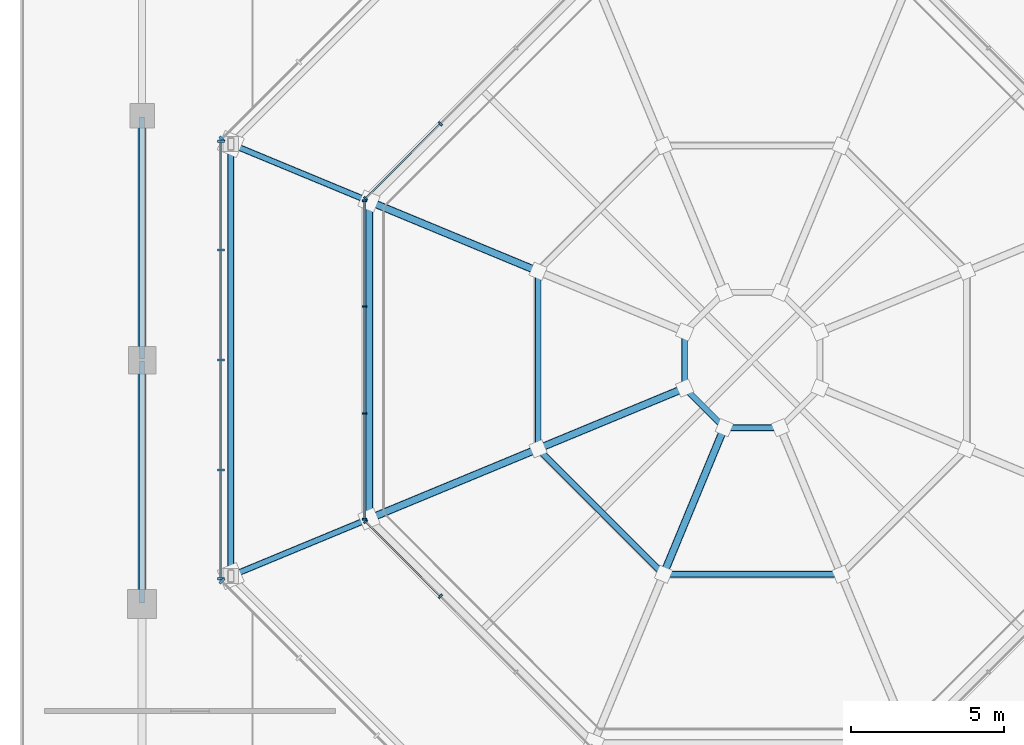
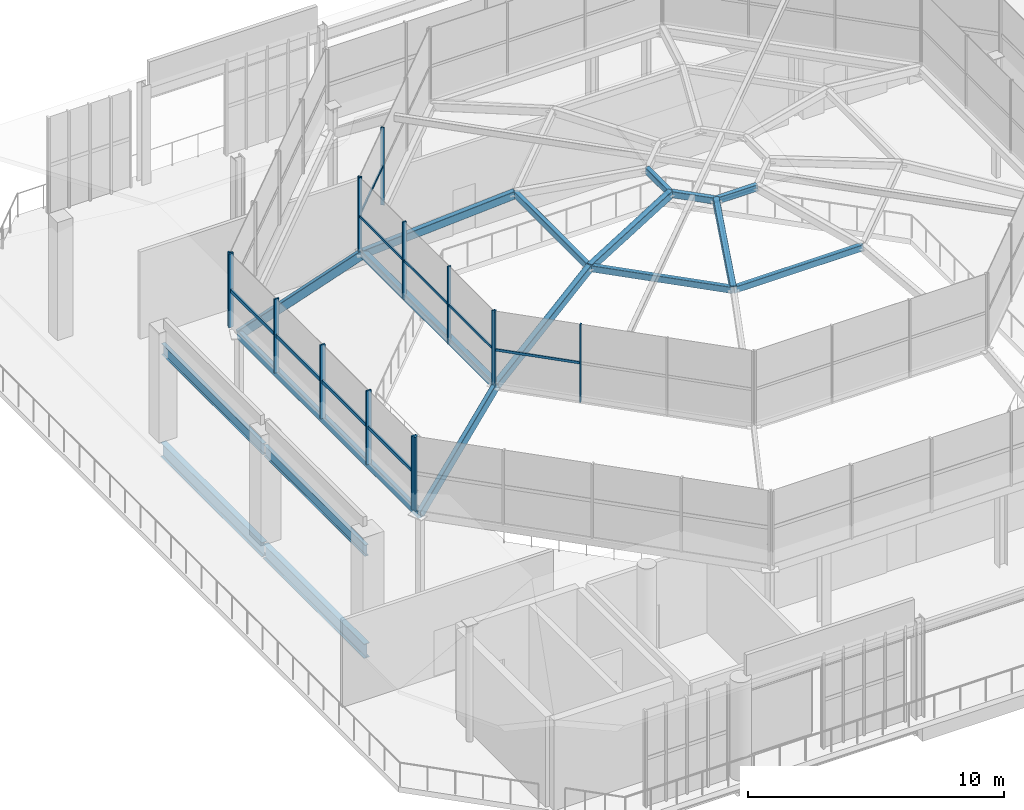
# One storey, part 10 of 30: 24 members, 18 beams, 6 elements without a shape of their own.
"""IFC4 building model written with IfcOpenShell, lengths in metres."""

from ifc_helpers import new_model, si_unit, direction, frame, origin, origin_2d, place, context, subcontext, project, spatial, rectangle, hollow_rectangle, i_section, extrude, material, material_profile, profile_set, type_object, element, aggregate, save


model = new_model("IFC4")

# Units and contexts
model_context = context("Model", 3, precision=1e-05, world=origin(), true_north=direction((0.0, 1.0)))
body_context = subcontext(model_context, "Body", "Model", "MODEL_VIEW")
ifc_project = project(units=[si_unit("LENGTHUNIT", "METRE"), si_unit("AREAUNIT", "SQUARE_METRE"), si_unit("VOLUMEUNIT", "CUBIC_METRE"), si_unit("PLANEANGLEUNIT", "RADIAN"), si_unit("MASSUNIT", "GRAM", prefix="KILO")], contexts=[model_context])

# Site, building, storey
site_placement = place(None, origin())
site = spatial("IfcSite", under=ifc_project, at=site_placement, CompositionType="ELEMENT")
building_placement = place(site_placement, origin())
building = spatial("IfcBuilding", under=site, at=building_placement, Name="Brisemont Oceanarium", CompositionType="ELEMENT")
storey_placement = place(building_placement, frame((0.0, 0.0, 19.800048828125)))
storey = spatial("IfcBuildingStorey", under=building, at=storey_placement, Name="L04", CompositionType="ELEMENT", Elevation=19.800048828125)

# Beams
ifc_material_1 = material(Name="Structural Steel ASTM A500 Gr.C", Category="steel")
ifc_material_profile_1 = material_profile(ifc_material_1, hollow_rectangle(XDim=0.202880859375, YDim=0.304931640625, WallThickness=0.0087890625, InnerFilletRadius=0.009033203125, OuterFilletRadius=0.01806640625, at=origin_2d()), Name="HSS12X8X3/8")
ifc_profile_set_1 = profile_set([ifc_material_profile_1], Name="Structural Steel ASTM A500 Gr.C")
beam_type_1 = type_object("IfcBeamType", Name="BM-HSS12X8", PredefinedType="BEAM", material=ifc_profile_set_1)
beam_1_placement = place(storey_placement, frame((76.978515625, 58.908447265625, 10.099853515625), z_axis=(0.0, -1.0, 0.0), x_axis=(1.0, 0.0, 0.0)))
element("IfcBeam", 1, at=beam_1_placement, inside=storey, type_object=beam_type_1, Name="V1 dome ring 3 chord 4", PredefinedType="BEAM", context=body_context, shape_type="SweptSolid", body=[
    extrude(hollow_rectangle(XDim=0.202880859375, YDim=0.304931640625, WallThickness=0.0087890625, InnerFilletRadius=0.009033203125, OuterFilletRadius=0.01806640625, at=origin_2d()), origin(), (0.0, 0.0, 1.0), 5.81689453125),
])
beam_2_placement = place(storey_placement, frame((76.978515625, 53.091552734375, 10.099853515625), z_axis=(0.707106781187, -0.707106781187, 0.0), x_axis=(0.707106781187, 0.707106781187, 0.0)))
element("IfcBeam", 2, at=beam_2_placement, inside=storey, type_object=beam_type_1, Name="V1 dome ring 3 chord 5", PredefinedType="BEAM", context=body_context, shape_type="SweptSolid", body=[
    extrude(hollow_rectangle(XDim=0.202880859375, YDim=0.304931640625, WallThickness=0.0087890625, InnerFilletRadius=0.009033203125, OuterFilletRadius=0.01806640625, at=origin_2d()), origin(), (0.0, 0.0, 1.0), 5.816650390625),
])
beam_3_placement = place(storey_placement, frame((81.091552734375, 48.978515625, 10.099853515625), z_axis=(1.0, 0.0, 0.0), x_axis=(0.0, 1.0, 0.0)))
element("IfcBeam", 3, at=beam_3_placement, inside=storey, type_object=beam_type_1, Name="V1 dome ring 3 chord 6", PredefinedType="BEAM", context=body_context, shape_type="SweptSolid", body=[
    extrude(hollow_rectangle(XDim=0.202880859375, YDim=0.304931640625, WallThickness=0.0087890625, InnerFilletRadius=0.009033203125, OuterFilletRadius=0.01806640625, at=origin_2d()), origin(), (0.0, 0.0, 1.0), 5.81689453125),
])
for number, where, z_axis, x_axis, name in (
    (4, (81.78271484375, 56.91845703125, 10.75), (0.0, -1.0, 0.0), (1.0, 0.0, 0.0), "V1 dome ring 4 chord 4"),
    (5, (81.78271484375, 55.08154296875, 10.75), (0.707106781187, -0.707106781187, 0.0), (0.707106781187, 0.707106781187, 0.0), "V1 dome ring 4 chord 5"),
    (6, (83.08154296875, 53.78271484375, 10.75), (1.0, 0.0, 0.0), (0.0, 1.0, 0.0), "V1 dome ring 4 chord 6"),
):
    element("IfcBeam", number, at=place(storey_placement, frame(where, z_axis=z_axis, x_axis=x_axis)), inside=storey, type_object=beam_type_1, Name=name, PredefinedType="BEAM", context=body_context, shape_type="SweptSolid", body=[
        extrude(hollow_rectangle(XDim=0.202880859375, YDim=0.304931640625, WallThickness=0.0087890625, InnerFilletRadius=0.009033203125, OuterFilletRadius=0.01806640625, at=origin_2d()), origin(), (0.0, 0.0, 1.0), 1.8369140625),
    ])
ifc_material_2 = material(Name="Structural Steel ASTM A500 Gr.C", Category="steel")
ifc_material_profile_2 = material_profile(ifc_material_2, hollow_rectangle(XDim=0.25390625, YDim=0.35595703125, WallThickness=0.01171875, InnerFilletRadius=0.01220703125, OuterFilletRadius=0.02392578125, at=origin_2d()), Name="HSS14X10X1/2")
ifc_profile_set_2 = profile_set([ifc_material_profile_2], Name="Structural Steel ASTM A500 Gr.C")
beam_type_2 = type_object("IfcBeamType", Name="BM-HSS14X10", PredefinedType="BEAM", material=ifc_profile_set_2)
beam_4_placement = place(storey_placement, frame((71.435302734375, 61.20458984375, 7.800048828125), z_axis=(0.0, -1.0, 0.0), x_axis=(1.0, 0.0, 0.0)))
element("IfcBeam", 7, at=beam_4_placement, inside=storey, type_object=beam_type_2, Name="V1 dome ring 2 chord 4", PredefinedType="BEAM", context=body_context, shape_type="SweptSolid", body=[
    extrude(hollow_rectangle(XDim=0.25390625, YDim=0.35595703125, WallThickness=0.01171875, InnerFilletRadius=0.01220703125, OuterFilletRadius=0.02392578125, at=origin_2d()), origin(), (0.0, 0.0, 1.0), 10.4091796875),
])
for number, where, z_axis, x_axis, name in (
    (8, (71.435302734375, 61.20458984375, 7.800048828125), (0.862673737617, -0.357341841105, 0.357911764296), (0.382693194178, 0.923875488976, 0.0), "V1 dome meridian arch rib 2.4"),
    (9, (71.435302734375, 50.79541015625, 7.800048828125), (0.862673737617, 0.357341841105, 0.357911764296), (-0.382693194178, 0.923875488976, 0.0), "V1 dome meridian arch rib 2.5"),
):
    element("IfcBeam", number, at=place(storey_placement, frame(where, z_axis=z_axis, x_axis=x_axis)), inside=storey, type_object=beam_type_2, Name=name, PredefinedType="BEAM", context=body_context, shape_type="SweptSolid", body=[
        extrude(hollow_rectangle(XDim=0.25390625, YDim=0.35595703125, WallThickness=0.01171875, InnerFilletRadius=0.01220703125, OuterFilletRadius=0.02392578125, at=origin_2d()), origin(), (0.0, 0.0, 1.0), 6.425537109375),
    ])
for number, where, z_axis, x_axis, name in (
    (10, (76.978515625, 53.091552734375, 10.099853515625), (0.916740406142, 0.37973122525, 0.124061373186), (-0.38268766097, 0.923877780955, 0.0), "V1 dome meridian arch rib 3.5"),
    (11, (81.091552734375, 48.978515625, 10.099853515625), (0.37973122525, 0.916740406142, 0.124061373186), (-0.923877780955, 0.38268766097, 0.0), "V1 dome meridian arch rib 3.6"),
):
    element("IfcBeam", number, at=place(storey_placement, frame(where, z_axis=z_axis, x_axis=x_axis)), inside=storey, type_object=beam_type_2, Name=name, PredefinedType="BEAM", context=body_context, shape_type="SweptSolid", body=[
        extrude(hollow_rectangle(XDim=0.25390625, YDim=0.35595703125, WallThickness=0.01171875, InnerFilletRadius=0.01220703125, OuterFilletRadius=0.02392578125, at=origin_2d()), origin(), (0.0, 0.0, 1.0), 5.240478515625),
    ])
ifc_material_3 = material(Name="Structural Steel ASTM A500 Gr.C", Category="steel")
ifc_material_profile_3 = material_profile(ifc_material_3, hollow_rectangle(XDim=0.202880859375, YDim=0.406005859375, WallThickness=0.01171875, InnerFilletRadius=0.01220703125, OuterFilletRadius=0.02392578125, at=origin_2d()), Name="HSS16X8X1/2")
ifc_profile_set_3 = profile_set([ifc_material_profile_3], Name="Structural Steel ASTM A500 Gr.C")
beam_type_3 = type_object("IfcBeamType", Name="BM-HSS16X8", PredefinedType="BEAM", material=ifc_profile_set_3)
beam_5_placement = place(storey_placement, frame((66.908203125, 63.07958984375, 4.3798828125), z_axis=(0.0, -1.0, 0.0), x_axis=(1.0, 0.0, 0.0)))
element("IfcBeam", 12, at=beam_5_placement, inside=storey, type_object=beam_type_3, Name="V1 dome ring 1 chord 4", PredefinedType="BEAM", context=body_context, shape_type="SweptSolid", body=[
    extrude(hollow_rectangle(XDim=0.202880859375, YDim=0.406005859375, WallThickness=0.01171875, InnerFilletRadius=0.01220703125, OuterFilletRadius=0.02392578125, at=origin_2d()), origin(), (0.0, 0.0, 1.0), 14.1591796875),
])
for number, where, z_axis, x_axis, name in (
    (13, (66.908203125, 63.07958984375, 4.3798828125), (0.757597539558, -0.313776039681, 0.572355278632), (0.382651022285, 0.92389295654, 0.0), "V1 dome meridian arch rib 1.4"),
    (14, (66.908203125, 48.92041015625, 4.3798828125), (0.757597539558, 0.313776039681, 0.572355278632), (-0.382651022285, 0.92389295654, 0.0), "V1 dome meridian arch rib 1.5"),
):
    element("IfcBeam", number, at=place(storey_placement, frame(where, z_axis=z_axis, x_axis=x_axis)), inside=storey, type_object=beam_type_3, Name=name, PredefinedType="BEAM", context=body_context, shape_type="SweptSolid", body=[
        extrude(hollow_rectangle(XDim=0.202880859375, YDim=0.406005859375, WallThickness=0.01171875, InnerFilletRadius=0.01220703125, OuterFilletRadius=0.02392578125, at=origin_2d()), origin(), (0.0, 0.0, 1.0), 5.9755859375),
    ])
ifc_material_4 = material(Name="Structural Steel ASTM A992 Gr.50", Category="steel")
ifc_material_profile_4 = material_profile(ifc_material_4, i_section(OverallWidth=0.166015625, OverallDepth=0.528076171875, WebThickness=0.009765625, FlangeThickness=0.013671875, FilletRadius=0.012939453125, at=origin_2d()), Name="W21X50")
ifc_profile_set_4 = profile_set([ifc_material_profile_4], Name="Structural Steel ASTM A992 Gr.50")
beam_type_4 = type_object("IfcBeamType", Name="BM-W21X50", PredefinedType="SPANDREL", material=ifc_profile_set_4)
for number, where, z_axis, x_axis, name in (
    (15, (64.0, 48.0400390625, 4.18603515625), (0.0, 1.0, 0.0), (-1.0, 0.0, 0.0), "V1 L04 cornice parapet spandrel beam 7"),
    (16, (64.0, 56.0400390625, 4.18603515625), (0.0, 1.0, 0.0), (-1.0, 0.0, 0.0), "V1 L04 cornice parapet spandrel beam 8"),
):
    element("IfcBeam", number, at=place(storey_placement, frame(where, z_axis=z_axis, x_axis=x_axis)), inside=storey, type_object=beam_type_4, Name=name, PredefinedType="SPANDREL", context=body_context, shape_type="SweptSolid", body=[
        extrude(i_section(OverallWidth=0.166015625, OverallDepth=0.528076171875, WebThickness=0.009765625, FlangeThickness=0.013671875, FilletRadius=0.012939453125, at=origin_2d()), origin(), (0.0, 0.0, 1.0), 7.919921875),
    ])
ifc_material_5 = material(Name="Structural Steel ASTM A992 Gr.50", Category="steel")
ifc_material_profile_5 = material_profile(ifc_material_5, i_section(OverallWidth=0.2529296875, OverallDepth=0.677978515625, WebThickness=0.01171875, FlangeThickness=0.016357421875, FilletRadius=0.014892578125, at=origin_2d()), Name="W27X84")
ifc_profile_set_5 = profile_set([ifc_material_profile_5], Name="Structural Steel ASTM A992 Gr.50")
beam_type_5 = type_object("IfcBeamType", Name="BM-W27X84", PredefinedType="BEAM", material=ifc_profile_set_5)
beam_6_placement = place(storey_placement, frame((64.0, 56.0400390625, -0.59912109375), z_axis=(0.0, 1.0, 0.0), x_axis=(-1.0, 0.0, 0.0)))
element("IfcBeam", 17, at=beam_6_placement, inside=storey, type_object=beam_type_5, Name="V1 L04 NS girder", PredefinedType="BEAM", context=body_context, shape_type="SweptSolid", body=[
    extrude(i_section(OverallWidth=0.2529296875, OverallDepth=0.677978515625, WebThickness=0.01171875, FlangeThickness=0.016357421875, FilletRadius=0.014892578125, at=origin_2d()), origin(), (0.0, 0.0, 1.0), 7.919921875),
])
ifc_material_6 = material(Name="Structural Steel ASTM A992 Gr.50", Category="steel")
ifc_material_profile_6 = material_profile(ifc_material_6, i_section(OverallWidth=0.25390625, OverallDepth=0.68310546875, WebThickness=0.012451171875, FlangeThickness=0.018798828125, FilletRadius=0.014892578125, at=origin_2d()), Name="W27X94")
ifc_profile_set_6 = profile_set([ifc_material_profile_6], Name="Structural Steel ASTM A992 Gr.50")
beam_type_6 = type_object("IfcBeamType", Name="BM-W27X94", PredefinedType="BEAM", material=ifc_profile_set_6)
beam_7_placement = place(storey_placement, frame((64.0, 48.0400390625, -0.6015625), z_axis=(0.0, 1.0, 0.0), x_axis=(-1.0, 0.0, 0.0)))
element("IfcBeam", 18, at=beam_7_placement, inside=storey, type_object=beam_type_6, Name="V1 L04 NS girder", PredefinedType="BEAM", context=body_context, shape_type="SweptSolid", body=[
    extrude(i_section(OverallWidth=0.25390625, OverallDepth=0.68310546875, WebThickness=0.012451171875, FlangeThickness=0.018798828125, FilletRadius=0.014892578125, at=origin_2d()), origin(), (0.0, 0.0, 1.0), 7.919921875),
])

# Curtain wall, members
ifc_material_7 = material(Name="Anodized Extruded Aluminum 6063-T6", Category="aluminium")
curtain_wall_type_1 = type_object("IfcCurtainWallType", Name="CW-CLR-48X34", PredefinedType="NOTDEFINED", material=ifc_material_7)
curtain_wall_1_placement = place(storey_placement, origin())
curtain_wall_1 = element("IfcCurtainWall", 19, at=curtain_wall_1_placement, inside=storey, type_object=curtain_wall_type_1, Name="CW-22 curtain wall CW-DOME-UP-3", PredefinedType="NOTDEFINED")
ifc_material_8 = material(Name="Anodized Extruded Aluminum 6063-T6", Category="aluminium")
ifc_material_profile_7 = material_profile(ifc_material_8, rectangle(XDim=0.06005859375, YDim=0.14990234375, at=origin_2d()), Name="CWM-60X150")
ifc_profile_set_7 = profile_set([ifc_material_profile_7], Name="Anodized Extruded Aluminum 6063-T6")
member_type_1 = type_object("IfcMemberType", Name="MEM-CWM-60", PredefinedType="MULLION", material=ifc_profile_set_7)
member_1_placement = place(storey_placement, frame((73.777099609375, 63.742431640625, 7.75), z_axis=(0.0, 0.0, 1.0), x_axis=(-0.707106781187, -0.707106781187, 0.0)))
member_1 = element("IfcMember", 20, at=member_1_placement, type_object=member_type_1, Name="CW-DOME-UP-3 mullion 3", PredefinedType="MULLION", context=body_context, shape_type="SweptSolid", body=[
    extrude(rectangle(XDim=0.06005859375, YDim=0.14990234375, at=origin_2d()), origin(), (0.0, 0.0, 1.0), 3.699951171875),
])
member_2_placement = place(storey_placement, frame((71.32861328125, 61.293701171875, 7.75), z_axis=(0.0, 0.0, 1.0), x_axis=(-0.707106781187, -0.707106781187, 0.0)))
member_2 = element("IfcMember", 21, at=member_2_placement, type_object=member_type_1, Name="CW-DOME-UP-3 mullion 4", PredefinedType="MULLION", context=body_context, shape_type="SweptSolid", body=[
    extrude(rectangle(XDim=0.06005859375, YDim=0.14990234375, at=origin_2d()), origin(), (0.0, 0.0, 1.0), 3.699951171875),
])

curtain_wall_2_placement = place(storey_placement, origin())
curtain_wall_2 = element("IfcCurtainWall", 22, at=curtain_wall_2_placement, inside=storey, type_object=curtain_wall_type_1, Name="CW-22 curtain wall CW-DOME-UP-4", PredefinedType="NOTDEFINED")
member_3_placement = place(storey_placement, frame((71.296630859375, 61.216796875, 7.75), z_axis=(0.0, 0.0, 1.0), x_axis=(0.0, -1.0, 0.0)))
member_3 = element("IfcMember", 23, at=member_3_placement, type_object=member_type_1, Name="CW-DOME-UP-4 mullion 1", PredefinedType="MULLION", context=body_context, shape_type="SweptSolid", body=[
    extrude(rectangle(XDim=0.06005859375, YDim=0.14990234375, at=origin_2d()), origin(), (0.0, 0.0, 1.0), 3.699951171875),
])
member_4_placement = place(storey_placement, frame((71.296630859375, 57.75390625, 7.75), z_axis=(0.0, 0.0, 1.0), x_axis=(0.0, -1.0, 0.0)))
member_4 = element("IfcMember", 24, at=member_4_placement, type_object=member_type_1, Name="CW-DOME-UP-4 mullion 2", PredefinedType="MULLION", context=body_context, shape_type="SweptSolid", body=[
    extrude(rectangle(XDim=0.06005859375, YDim=0.14990234375, at=origin_2d()), origin(), (0.0, 0.0, 1.0), 3.699951171875),
])
member_5_placement = place(storey_placement, frame((71.296630859375, 54.24609375, 7.75), z_axis=(0.0, 0.0, 1.0), x_axis=(0.0, -1.0, 0.0)))
member_5 = element("IfcMember", 25, at=member_5_placement, type_object=member_type_1, Name="CW-DOME-UP-4 mullion 3", PredefinedType="MULLION", context=body_context, shape_type="SweptSolid", body=[
    extrude(rectangle(XDim=0.06005859375, YDim=0.14990234375, at=origin_2d()), origin(), (0.0, 0.0, 1.0), 3.699951171875),
])
member_6_placement = place(storey_placement, frame((71.296630859375, 50.783203125, 7.75), z_axis=(0.0, 0.0, 1.0), x_axis=(0.0, -1.0, 0.0)))
member_6 = element("IfcMember", 26, at=member_6_placement, type_object=member_type_1, Name="CW-DOME-UP-4 mullion 4", PredefinedType="MULLION", context=body_context, shape_type="SweptSolid", body=[
    extrude(rectangle(XDim=0.06005859375, YDim=0.14990234375, at=origin_2d()), origin(), (0.0, 0.0, 1.0), 3.699951171875),
])

curtain_wall_3_placement = place(storey_placement, origin())
curtain_wall_3 = element("IfcCurtainWall", 27, at=curtain_wall_3_placement, inside=storey, type_object=curtain_wall_type_1, Name="CW-22 curtain wall CW-DOME-UP-5", PredefinedType="NOTDEFINED")
member_7_placement = place(storey_placement, frame((71.32861328125, 50.706298828125, 7.75), z_axis=(0.0, 0.0, 1.0), x_axis=(0.707106781187, -0.707106781187, 0.0)))
member_7 = element("IfcMember", 28, at=member_7_placement, type_object=member_type_1, Name="CW-DOME-UP-5 mullion 1", PredefinedType="MULLION", context=body_context, shape_type="SweptSolid", body=[
    extrude(rectangle(XDim=0.06005859375, YDim=0.14990234375, at=origin_2d()), origin(), (0.0, 0.0, 1.0), 3.699951171875),
])
member_8_placement = place(storey_placement, frame((73.777099609375, 48.257568359375, 7.75), z_axis=(0.0, 0.0, 1.0), x_axis=(0.707106781187, -0.707106781187, 0.0)))
member_8 = element("IfcMember", 29, at=member_8_placement, type_object=member_type_1, Name="CW-DOME-UP-5 mullion 2", PredefinedType="MULLION", context=body_context, shape_type="SweptSolid", body=[
    extrude(rectangle(XDim=0.06005859375, YDim=0.14990234375, at=origin_2d()), origin(), (0.0, 0.0, 1.0), 3.699951171875),
])

# Curtain wall, member
ifc_material_9 = material(Name="Anodized Extruded Aluminum 6063-T6", Category="aluminium")
curtain_wall_type_2 = type_object("IfcCurtainWallType", Name="CW-ROT-69X44", PredefinedType="NOTDEFINED", material=ifc_material_9)
curtain_wall_4_placement = place(storey_placement, origin())
curtain_wall_4 = element("IfcCurtainWall", 30, at=curtain_wall_4_placement, inside=storey, type_object=curtain_wall_type_2, Name="CW-03 curtain wall CW-DOME-DRUM-3", PredefinedType="NOTDEFINED")
ifc_material_10 = material(Name="Anodized Extruded Aluminum 6063-T6", Category="aluminium")
ifc_material_profile_8 = material_profile(ifc_material_10, rectangle(XDim=0.074951171875, YDim=0.219970703125, at=origin_2d()), Name="CWM-75X220")
ifc_profile_set_8 = profile_set([ifc_material_profile_8], Name="Anodized Extruded Aluminum 6063-T6")
member_type_2 = type_object("IfcMemberType", Name="MEM-CWM-75", PredefinedType="MULLION", material=ifc_profile_set_8)
member_9_placement = place(storey_placement, frame((66.61669921875, 63.245361328125, 4.780029296875), z_axis=(0.0, 0.0, 1.0), x_axis=(-0.707106781187, -0.707106781187, 0.0)))
member_9 = element("IfcMember", 31, at=member_9_placement, type_object=member_type_2, Name="CW-DOME-DRUM-3 mullion 5", PredefinedType="MULLION", context=body_context, shape_type="SweptSolid", body=[
    extrude(rectangle(XDim=0.074951171875, YDim=0.219970703125, at=origin_2d()), origin(), (0.0, 0.0, 1.0), 3.52001953125),
])
aggregate(curtain_wall_4, [member_9])

# Curtain wall, members
curtain_wall_5_placement = place(storey_placement, origin())
curtain_wall_5 = element("IfcCurtainWall", 32, at=curtain_wall_5_placement, inside=storey, type_object=curtain_wall_type_2, Name="CW-03 curtain wall CW-DOME-DRUM-4", PredefinedType="NOTDEFINED")
member_10_placement = place(storey_placement, frame((66.5849609375, 63.168701171875, 4.780029296875), z_axis=(0.0, 0.0, 1.0), x_axis=(0.0, -1.0, 0.0)))
member_10 = element("IfcMember", 33, at=member_10_placement, type_object=member_type_2, Name="CW-DOME-DRUM-4 mullion 1", PredefinedType="MULLION", context=body_context, shape_type="SweptSolid", body=[
    extrude(rectangle(XDim=0.074951171875, YDim=0.219970703125, at=origin_2d()), origin(), (0.0, 0.0, 1.0), 3.52001953125),
])
member_11_placement = place(storey_placement, frame((66.5849609375, 59.606689453125, 4.780029296875), z_axis=(0.0, 0.0, 1.0), x_axis=(0.0, -1.0, 0.0)))
member_11 = element("IfcMember", 34, at=member_11_placement, type_object=member_type_2, Name="CW-DOME-DRUM-4 mullion 2", PredefinedType="MULLION", context=body_context, shape_type="SweptSolid", body=[
    extrude(rectangle(XDim=0.074951171875, YDim=0.219970703125, at=origin_2d()), origin(), (0.0, 0.0, 1.0), 3.52001953125),
])
member_12_placement = place(storey_placement, frame((66.5849609375, 56.0, 4.780029296875), z_axis=(0.0, 0.0, 1.0), x_axis=(0.0, -1.0, 0.0)))
member_12 = element("IfcMember", 35, at=member_12_placement, type_object=member_type_2, Name="CW-DOME-DRUM-4 mullion 3", PredefinedType="MULLION", context=body_context, shape_type="SweptSolid", body=[
    extrude(rectangle(XDim=0.074951171875, YDim=0.219970703125, at=origin_2d()), origin(), (0.0, 0.0, 1.0), 3.52001953125),
])
member_13_placement = place(storey_placement, frame((66.5849609375, 52.393310546875, 4.780029296875), z_axis=(0.0, 0.0, 1.0), x_axis=(0.0, -1.0, 0.0)))
member_13 = element("IfcMember", 36, at=member_13_placement, type_object=member_type_2, Name="CW-DOME-DRUM-4 mullion 4", PredefinedType="MULLION", context=body_context, shape_type="SweptSolid", body=[
    extrude(rectangle(XDim=0.074951171875, YDim=0.219970703125, at=origin_2d()), origin(), (0.0, 0.0, 1.0), 3.52001953125),
])
member_14_placement = place(storey_placement, frame((66.5849609375, 48.831298828125, 4.780029296875), z_axis=(0.0, 0.0, 1.0), x_axis=(0.0, -1.0, 0.0)))
member_14 = element("IfcMember", 37, at=member_14_placement, type_object=member_type_2, Name="CW-DOME-DRUM-4 mullion 5", PredefinedType="MULLION", context=body_context, shape_type="SweptSolid", body=[
    extrude(rectangle(XDim=0.074951171875, YDim=0.219970703125, at=origin_2d()), origin(), (0.0, 0.0, 1.0), 3.52001953125),
])

# Curtain wall, member
curtain_wall_6_placement = place(storey_placement, origin())
curtain_wall_6 = element("IfcCurtainWall", 38, at=curtain_wall_6_placement, inside=storey, type_object=curtain_wall_type_2, Name="CW-03 curtain wall CW-DOME-DRUM-5", PredefinedType="NOTDEFINED")
member_15_placement = place(storey_placement, frame((66.61669921875, 48.754638671875, 4.780029296875), z_axis=(0.0, 0.0, 1.0), x_axis=(0.707106781187, -0.707106781187, 0.0)))
member_15 = element("IfcMember", 39, at=member_15_placement, type_object=member_type_2, Name="CW-DOME-DRUM-5 mullion 1", PredefinedType="MULLION", context=body_context, shape_type="SweptSolid", body=[
    extrude(rectangle(XDim=0.074951171875, YDim=0.219970703125, at=origin_2d()), origin(), (0.0, 0.0, 1.0), 3.52001953125),
])
aggregate(curtain_wall_6, [member_15])

# Member
ifc_material_11 = material(Name="Anodized Extruded Aluminum 6063-T6", Category="aluminium")
ifc_material_profile_9 = material_profile(ifc_material_11, rectangle(XDim=0.06005859375, YDim=0.1201171875, at=origin_2d()), Name="CWT-60X120")
ifc_profile_set_9 = profile_set([ifc_material_profile_9], Name="Anodized Extruded Aluminum 6063-T6")
member_type_3 = type_object("IfcMemberType", Name="MEM-CWT-60", PredefinedType="USERDEFINED", material=ifc_profile_set_9)
member_16_placement = place(storey_placement, frame((73.7666015625, 63.731689453125, 9.599853515625), z_axis=(-0.707106781187, -0.707106781187, 0.0), x_axis=(0.707106781187, -0.707106781187, 0.0)))
member_16 = element("IfcMember", 40, at=member_16_placement, type_object=member_type_3, Name="CW-DOME-UP-3 transom 3.1", ObjectType="TRANSOM", PredefinedType="USERDEFINED", context=body_context, shape_type="SweptSolid", body=[
    extrude(rectangle(XDim=0.06005859375, YDim=0.1201171875, at=origin_2d()), origin(), (0.0, 0.0, 1.0), 3.477783203125),
])

aggregate(curtain_wall_1, [member_1, member_2, member_16])

member_17_placement = place(storey_placement, frame((71.296630859375, 61.246826171875, 9.599853515625), z_axis=(0.0, -1.0, 0.0), x_axis=(1.0, 0.0, 0.0)))
member_17 = element("IfcMember", 41, at=member_17_placement, type_object=member_type_3, Name="CW-DOME-UP-4 transom 1.1", ObjectType="TRANSOM", PredefinedType="USERDEFINED", context=body_context, shape_type="SweptSolid", body=[
    extrude(rectangle(XDim=0.06005859375, YDim=0.1201171875, at=origin_2d()), origin(), (0.0, 0.0, 1.0), 3.477783203125),
])

member_18_placement = place(storey_placement, frame((71.296630859375, 57.739013671875, 9.599853515625), z_axis=(0.0, -1.0, 0.0), x_axis=(1.0, 0.0, 0.0)))
member_18 = element("IfcMember", 42, at=member_18_placement, type_object=member_type_3, Name="CW-DOME-UP-4 transom 2.1", ObjectType="TRANSOM", PredefinedType="USERDEFINED", context=body_context, shape_type="SweptSolid", body=[
    extrude(rectangle(XDim=0.06005859375, YDim=0.1201171875, at=origin_2d()), origin(), (0.0, 0.0, 1.0), 3.47802734375),
])

member_19_placement = place(storey_placement, frame((71.296630859375, 54.23095703125, 9.599853515625), z_axis=(0.0, -1.0, 0.0), x_axis=(1.0, 0.0, 0.0)))
member_19 = element("IfcMember", 43, at=member_19_placement, type_object=member_type_3, Name="CW-DOME-UP-4 transom 3.1", ObjectType="TRANSOM", PredefinedType="USERDEFINED", context=body_context, shape_type="SweptSolid", body=[
    extrude(rectangle(XDim=0.06005859375, YDim=0.1201171875, at=origin_2d()), origin(), (0.0, 0.0, 1.0), 3.477783203125),
])

aggregate(curtain_wall_2, [member_3, member_4, member_5, member_6, member_17, member_18, member_19])

member_20_placement = place(storey_placement, frame((71.307373046875, 50.7275390625, 9.599853515625), z_axis=(0.707106781187, -0.707106781187, 0.0), x_axis=(0.707106781187, 0.707106781187, 0.0)))
member_20 = element("IfcMember", 44, at=member_20_placement, type_object=member_type_3, Name="CW-DOME-UP-5 transom 1.1", ObjectType="TRANSOM", PredefinedType="USERDEFINED", context=body_context, shape_type="SweptSolid", body=[
    extrude(rectangle(XDim=0.06005859375, YDim=0.1201171875, at=origin_2d()), origin(), (0.0, 0.0, 1.0), 3.477783203125),
])

aggregate(curtain_wall_3, [member_7, member_8, member_20])

ifc_material_12 = material(Name="Anodized Extruded Aluminum 6063-T6", Category="aluminium")
ifc_material_profile_10 = material_profile(ifc_material_12, rectangle(XDim=0.074951171875, YDim=0.1650390625, at=origin_2d()), Name="CWT-75X165")
ifc_profile_set_10 = profile_set([ifc_material_profile_10], Name="Anodized Extruded Aluminum 6063-T6")
member_type_4 = type_object("IfcMemberType", Name="MEM-CWT-75", PredefinedType="USERDEFINED", material=ifc_profile_set_10)
member_21_placement = place(storey_placement, frame((66.5849609375, 63.198486328125, 6.5400390625), z_axis=(0.0, -1.0, 0.0), x_axis=(1.0, 0.0, 0.0)))
member_21 = element("IfcMember", 45, at=member_21_placement, type_object=member_type_4, Name="CW-DOME-DRUM-4 transom 1.1", ObjectType="TRANSOM", PredefinedType="USERDEFINED", context=body_context, shape_type="SweptSolid", body=[
    extrude(rectangle(XDim=0.074951171875, YDim=0.1650390625, at=origin_2d()), origin(), (0.0, 0.0, 1.0), 3.57666015625),
])

member_22_placement = place(storey_placement, frame((66.5849609375, 59.591796875, 6.5400390625), z_axis=(0.0, -1.0, 0.0), x_axis=(1.0, 0.0, 0.0)))
member_22 = element("IfcMember", 46, at=member_22_placement, type_object=member_type_4, Name="CW-DOME-DRUM-4 transom 2.1", ObjectType="TRANSOM", PredefinedType="USERDEFINED", context=body_context, shape_type="SweptSolid", body=[
    extrude(rectangle(XDim=0.074951171875, YDim=0.1650390625, at=origin_2d()), origin(), (0.0, 0.0, 1.0), 3.576904296875),
])

member_23_placement = place(storey_placement, frame((66.5849609375, 55.985107421875, 6.5400390625), z_axis=(0.0, -1.0, 0.0), x_axis=(1.0, 0.0, 0.0)))
member_23 = element("IfcMember", 47, at=member_23_placement, type_object=member_type_4, Name="CW-DOME-DRUM-4 transom 3.1", ObjectType="TRANSOM", PredefinedType="USERDEFINED", context=body_context, shape_type="SweptSolid", body=[
    extrude(rectangle(XDim=0.074951171875, YDim=0.1650390625, at=origin_2d()), origin(), (0.0, 0.0, 1.0), 3.576904296875),
])

member_24_placement = place(storey_placement, frame((66.5849609375, 52.378173828125, 6.5400390625), z_axis=(0.0, -1.0, 0.0), x_axis=(1.0, 0.0, 0.0)))
member_24 = element("IfcMember", 48, at=member_24_placement, type_object=member_type_4, Name="CW-DOME-DRUM-4 transom 4.1", ObjectType="TRANSOM", PredefinedType="USERDEFINED", context=body_context, shape_type="SweptSolid", body=[
    extrude(rectangle(XDim=0.074951171875, YDim=0.1650390625, at=origin_2d()), origin(), (0.0, 0.0, 1.0), 3.57666015625),
])

aggregate(curtain_wall_5, [member_10, member_11, member_12, member_13, member_14, member_21, member_22, member_23, member_24])

save(model, "model.ifc")
